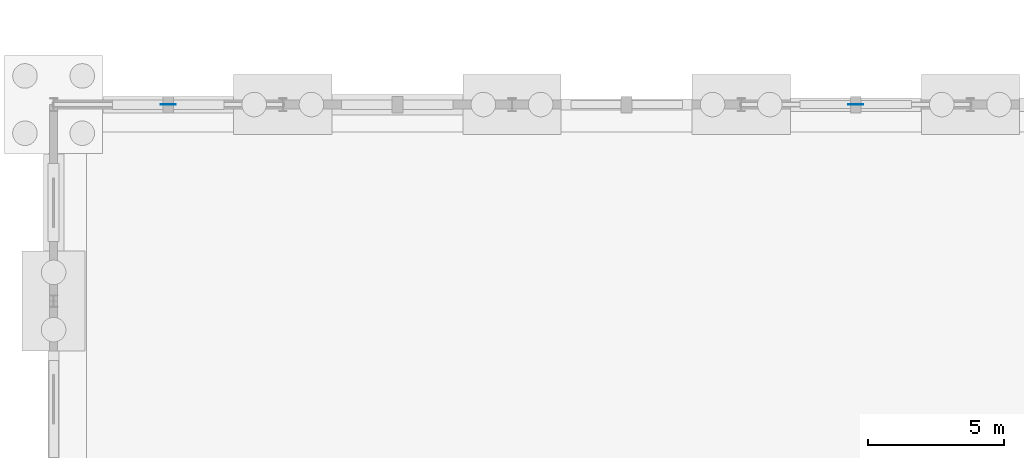
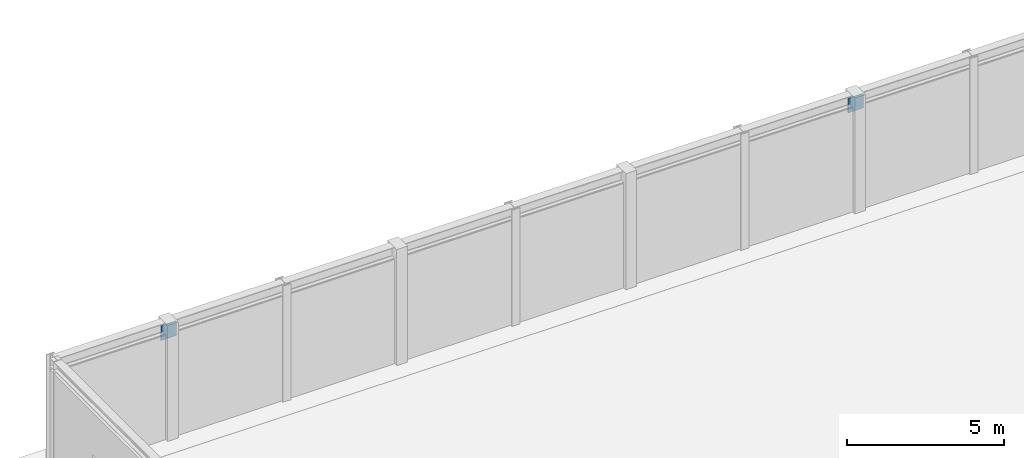
# One storey, part 54 of 93: 2 plates.
"""IFC4 building model written with IfcOpenShell, lengths in metres."""

import ifcopenshell
import ifcopenshell.guid

model = None  # the IFC model being written
_history = None  # IfcOwnerHistory: only IFC2X3 demands one
_inside = {}  # id of a spatial element -> (the spatial element, [elements in it])
_under = {}  # id of a project, library or spatial element -> (it, [spatial elements below it])
_declared = {}  # id of a project -> (the project, [libraries it declares])
_typed = {}  # id of a type object -> (the type object, [elements of that type])
_made_of = {}  # id of a material, layer set ... -> (it, [elements and type objects made of it])


def new_model(schema):
    """Start an empty IFC model of exactly this schema.

    Asked for "IFC4X3", IfcOpenShell would pick the latest addendum, in which some entities
    have other attributes; the version numbers below select the first issue.
    IFC2X3 requires an IfcOwnerHistory on every rooted entity: one is made here for all.
    """
    global model, _history
    if schema == "IFC4X3":
        model = ifcopenshell.file(schema_version=(4, 3, 0, 0))
    else:
        model = ifcopenshell.file(schema=schema)
    _inside.clear()
    _under.clear()
    _declared.clear()
    _typed.clear()
    _made_of.clear()
    _history = None
    if model.schema == "IFC2X3":
        org = make("IfcOrganization", Name="unknown")
        user = make(
            "IfcPersonAndOrganization",
            ThePerson=make("IfcPerson", FamilyName="unknown"),
            TheOrganization=org,
        )
        app = make(
            "IfcApplication",
            ApplicationDeveloper=org,
            Version="unknown",
            ApplicationFullName="unknown",
            ApplicationIdentifier="unknown",
        )
        _history = make(
            "IfcOwnerHistory",
            OwningUser=user,
            OwningApplication=app,
            ChangeAction="ADDED",
            CreationDate=0,
        )
    return model


def make(cls, **values):
    """One entity of the class cls with the attributes given. An attribute that is None is left unset."""
    return model.create_entity(
        cls, **{name: value for name, value in values.items() if value is not None}
    )


def rooted(cls, **values):
    """An entity with a GlobalId (a new one), such as an element, a storey or a relation."""
    return make(cls, GlobalId=ifcopenshell.guid.new(), OwnerHistory=_history, **values)


def si_unit(unit_type, name, prefix=None):
    """IfcSIUnit, for example si_unit("LENGTHUNIT", "METRE", prefix="MILLI")."""
    return make("IfcSIUnit", UnitType=unit_type, Prefix=prefix, Name=name)


def derived_unit(unit_type, elements):
    """IfcDerivedUnit: a product of units, each with its exponent."""
    return make(
        "IfcDerivedUnit",
        Elements=[
            make("IfcDerivedUnitElement", Unit=unit, Exponent=power)
            for unit, power in elements
        ],
        UnitType=unit_type,
    )


def assignment(units):
    """IfcUnitAssignment: the units of a project."""
    return None if units is None else make("IfcUnitAssignment", Units=units)


def point(xyz):
    """IfcCartesianPoint."""
    return None if xyz is None else make("IfcCartesianPoint", Coordinates=xyz)


def direction(xyz):
    """IfcDirection."""
    return None if xyz is None else make("IfcDirection", DirectionRatios=xyz)


def frame(location, z_axis=None, x_axis=None):
    """IfcAxis2Placement3D, a coordinate frame: its origin and axes. An axis left out is left unset."""
    return make(
        "IfcAxis2Placement3D",
        Location=point(location),
        Axis=direction(z_axis),
        RefDirection=direction(x_axis),
    )


def frame_2d(location, x_axis=None):
    """IfcAxis2Placement2D, a coordinate frame in the plane: its origin and x axis."""
    return make(
        "IfcAxis2Placement2D", Location=point(location), RefDirection=direction(x_axis)
    )


def origin():
    """The frame at (0, 0, 0) with its axes left unset."""
    return frame((0.0, 0.0, 0.0))


def origin_2d():
    """The frame at (0, 0) in the plane with its x axis left unset."""
    return frame_2d((0.0, 0.0))


def place(relative_to, where):
    """IfcLocalPlacement: puts the frame where relative to a parent placement (None: the world)."""
    return make(
        "IfcLocalPlacement", PlacementRelTo=relative_to, RelativePlacement=where
    )


def context(
    kind, dimensions, precision=None, world=None, true_north=None, identifier=None
):
    """IfcGeometricRepresentationContext, for example the 3D "Model" context."""
    return make(
        "IfcGeometricRepresentationContext",
        ContextIdentifier=identifier,
        ContextType=kind,
        CoordinateSpaceDimension=dimensions,
        Precision=precision,
        WorldCoordinateSystem=world,
        TrueNorth=true_north,
    )


def subcontext(parent, identifier, kind, view, scale=None):
    """IfcGeometricRepresentationSubContext, for example "Body" below "Model"."""
    return make(
        "IfcGeometricRepresentationSubContext",
        ContextIdentifier=identifier,
        ContextType=kind,
        ParentContext=parent,
        TargetScale=scale,
        TargetView=view,
    )


def project(units=None, contexts=None):
    """IfcProject with its units and contexts."""
    return rooted(
        "IfcProject",
        Name="project",
        RepresentationContexts=contexts,
        UnitsInContext=assignment(units),
    )


def spatial(cls, under=None, at=None, **own):
    """A site, building, storey or space (cls), placed at a placement, below another one or the project."""
    s = rooted(cls, ObjectPlacement=at, **own)
    if under is not None:
        _under.setdefault(under.id(), (under, []))[1].append(s)
    return s


def profile(cls, at=None, kind="AREA", **sizes):
    """A parametric profile (cls). Its sizes go by their IFC names, for example OverallWidth=200.0."""
    return make(cls, ProfileType=kind, Position=at, **sizes)


def rectangle(**sizes):
    """IfcRectangleProfileDef."""
    return profile("IfcRectangleProfileDef", **sizes)


def extrude(swept, where, along, depth):
    """IfcExtrudedAreaSolid: the profile swept, set in the frame where, extruded along a direction by depth."""
    return make(
        "IfcExtrudedAreaSolid",
        SweptArea=swept,
        Position=where,
        ExtrudedDirection=direction(along),
        Depth=depth,
    )


def shape(context_of_items, identifier, shape_type, items):
    """IfcShapeRepresentation: the items that make up one representation, for example the "Body"."""
    return make(
        "IfcShapeRepresentation",
        ContextOfItems=context_of_items,
        RepresentationIdentifier=identifier,
        RepresentationType=shape_type,
        Items=items,
    )


def material(Name=None, Category=None):
    """IfcMaterial."""
    return make("IfcMaterial", Name=Name, Category=Category)


def layer(
    of_material, thickness, ventilated=None, Name=None, Category=None, Priority=None
):
    """IfcMaterialLayer: one layer of a wall or slab, of a material (None: an air gap)."""
    return make(
        "IfcMaterialLayer",
        Material=of_material,
        LayerThickness=thickness,
        IsVentilated=ventilated,
        Name=Name,
        Category=Category,
        Priority=Priority,
    )


def layer_set(layers, Name=None):
    """IfcMaterialLayerSet."""
    return make("IfcMaterialLayerSet", MaterialLayers=layers, LayerSetName=Name)


def made_of(thing, what):
    """Note that an element or type object is made of a material, layer set ...; save() writes the relation."""
    if what is not None:
        _made_of.setdefault(what.id(), (what, []))[1].append(thing)
    return thing


def type_object(cls, material=None, **own):
    """A type object (cls), such as IfcWallType, which elements share."""
    return made_of(rooted(cls, **own), material)


def element(
    cls,
    number,
    at=None,
    inside=None,
    cuts=None,
    type_object=None,
    material=None,
    context=None,
    identifier="Body",
    shape_type=None,
    held_by="IfcProductDefinitionShape",
    body=None,
    shapes=None,
    **own,
):
    """One element of the class cls, such as IfcWall. Its Tag is "e" and its number.

    at: its placement. inside: the storey or other place that contains it. cuts: it is an
    opening in that element (IfcRelVoidsElement). A single representation is given by context,
    identifier, shape_type and body (its items); several are given by shapes. held_by: the class
    of the entity that holds the representations. save() writes the other relations.
    """
    e = rooted(cls, Tag="e%d" % number, ObjectPlacement=at, **own)
    if body is not None:
        shapes = [shape(context, identifier, shape_type, body)]
    if shapes is not None:
        e.Representation = make(held_by, Representations=shapes)
    if inside is not None:
        _inside.setdefault(inside.id(), (inside, []))[1].append(e)
    if cuts is not None:
        rooted(
            "IfcRelVoidsElement", RelatingBuildingElement=cuts, RelatedOpeningElement=e
        )
    if type_object is not None:
        _typed.setdefault(type_object.id(), (type_object, []))[1].append(e)
    return made_of(e, material)


def aggregate(whole, parts):
    """IfcRelAggregates: a whole, such as a stair, and the parts it consists of."""
    return rooted("IfcRelAggregates", RelatingObject=whole, RelatedObjects=parts)


def save(model, path):
    """Write the relations noted so far, then the file.

    IfcRelAggregates (storeys below a building ...), IfcRelContainedInSpatialStructure (elements
    in a storey), IfcRelDefinesByType, IfcRelAssociatesMaterial and IfcRelDeclares: one each for
    every whole, place, type object, material and project.
    """
    for whole, parts in _under.values():
        aggregate(whole, parts)
    for where, things in _inside.values():
        rooted(
            "IfcRelContainedInSpatialStructure",
            RelatedElements=things,
            RelatingStructure=where,
        )
    for kind, things in _typed.values():
        rooted("IfcRelDefinesByType", RelatedObjects=things, RelatingType=kind)
    for what, things in _made_of.values():
        rooted("IfcRelAssociatesMaterial", RelatedObjects=things, RelatingMaterial=what)
    for by, libraries in _declared.values():
        rooted("IfcRelDeclares", RelatingContext=by, RelatedDefinitions=libraries)
    model.write(path)


model = new_model("IFC4")

# Units and contexts
model_context = context("Model", 3, precision=1e-05, world=origin(), true_north=direction((0.0, 1.0)))
body_context = subcontext(model_context, "Body", "Model", "MODEL_VIEW")
ifc_project = project(units=[si_unit("LENGTHUNIT", "METRE"), si_unit("AREAUNIT", "SQUARE_METRE"), si_unit("VOLUMEUNIT", "CUBIC_METRE"), si_unit("PLANEANGLEUNIT", "RADIAN"), si_unit("MASSUNIT", "GRAM", prefix="KILO"), derived_unit("THERMALTRANSMITTANCEUNIT", [(si_unit("MASSUNIT", "GRAM", prefix="KILO"), 1), (si_unit("TIMEUNIT", "SECOND"), -3), (si_unit("THERMODYNAMICTEMPERATUREUNIT", "KELVIN"), -1)])], contexts=[model_context])

# Site, building, storey
site_placement = place(None, origin())
site = spatial("IfcSite", under=ifc_project, at=site_placement, CompositionType="ELEMENT")
building_placement = place(site_placement, origin())
building = spatial("IfcBuilding", under=site, at=building_placement, Name="Kharveza Railside Sports Centre", CompositionType="ELEMENT")
storey_placement = place(building_placement, origin())
storey = spatial("IfcBuildingStorey", under=building, at=storey_placement, Name="L00", CompositionType="ELEMENT", Elevation=0.0)

# Plates
ifc_material = material(Name="Steel S355J2", Category="steel")
ifc_layer = layer(ifc_material, 0.028076171875, Name="Steel S355J2")
ifc_layer_set = layer_set([ifc_layer], Name="Steel S355J2")
plate_type = type_object("IfcPlateType", Name="PL-GS05", PredefinedType="USERDEFINED", material=ifc_layer_set)
for number, where, z_axis, x_axis, name in (
    (1, (96.60009765625, 108.0, 3.77001953125), (0.0, 0.0, 1.0), (1.0, 0.0, 0.0), "PLT-GS-CHEV-001"),
    (2, (121.800048828125, 108.0, 3.77001953125), (0.0, 0.0, 1.0), (1.0, 0.0, 0.0), "PLT-GS-CHEV-004"),
):
    element("IfcPlate", number, at=place(storey_placement, frame(where, z_axis=z_axis, x_axis=x_axis)), inside=storey, type_object=plate_type, Name=name, ObjectType="GUSSET_PLATE", PredefinedType="USERDEFINED", context=body_context, shape_type="SweptSolid", body=[
        extrude(rectangle(XDim=0.56005859375, YDim=0.028076171875, at=origin_2d()), origin(), (0.0, 0.0, 1.0), 0.56005859375),
    ])

save(model, "model.ifc")
